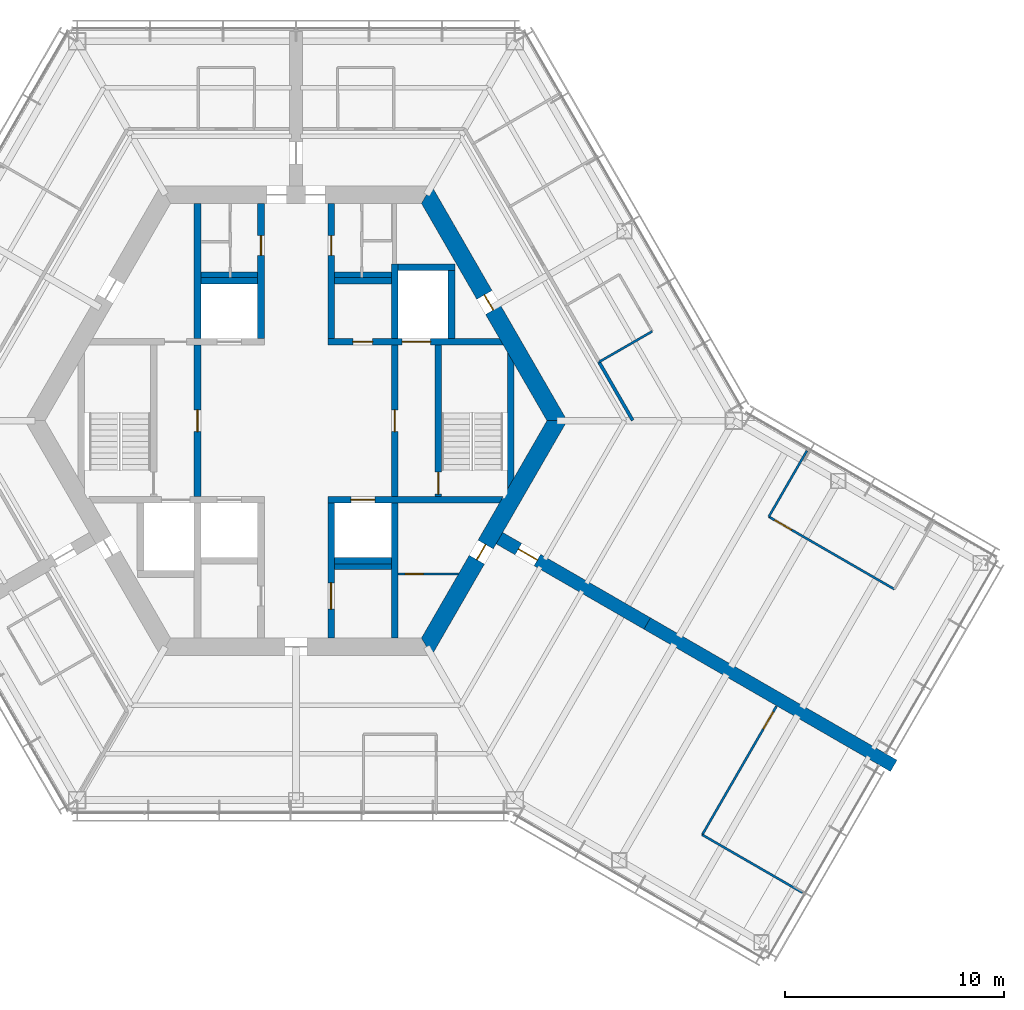
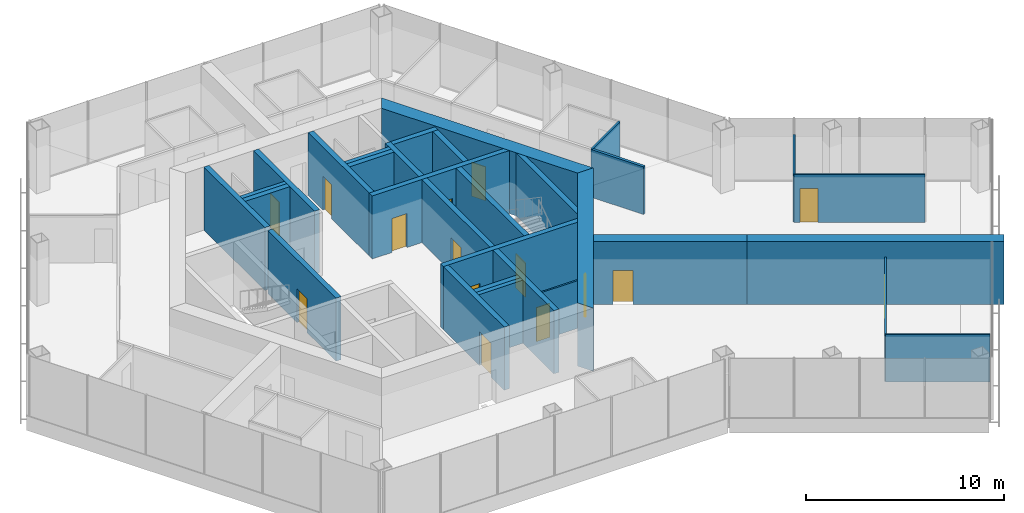
# One storey, part 11 of 15: 31 walls, 15 doors, 15 openings.
"""IFC4 building model written with IfcOpenShell, lengths in metres."""

import ifcopenshell
import ifcopenshell.guid

model = None  # the IFC model being written
_history = None  # IfcOwnerHistory: only IFC2X3 demands one
_inside = {}  # id of a spatial element -> (the spatial element, [elements in it])
_under = {}  # id of a project, library or spatial element -> (it, [spatial elements below it])
_declared = {}  # id of a project -> (the project, [libraries it declares])
_typed = {}  # id of a type object -> (the type object, [elements of that type])
_made_of = {}  # id of a material, layer set ... -> (it, [elements and type objects made of it])


def new_model(schema):
    """Start an empty IFC model of exactly this schema.

    Asked for "IFC4X3", IfcOpenShell would pick the latest addendum, in which some entities
    have other attributes; the version numbers below select the first issue.
    IFC2X3 requires an IfcOwnerHistory on every rooted entity: one is made here for all.
    """
    global model, _history
    if schema == "IFC4X3":
        model = ifcopenshell.file(schema_version=(4, 3, 0, 0))
    else:
        model = ifcopenshell.file(schema=schema)
    _inside.clear()
    _under.clear()
    _declared.clear()
    _typed.clear()
    _made_of.clear()
    _history = None
    if model.schema == "IFC2X3":
        org = make("IfcOrganization", Name="unknown")
        user = make(
            "IfcPersonAndOrganization",
            ThePerson=make("IfcPerson", FamilyName="unknown"),
            TheOrganization=org,
        )
        app = make(
            "IfcApplication",
            ApplicationDeveloper=org,
            Version="unknown",
            ApplicationFullName="unknown",
            ApplicationIdentifier="unknown",
        )
        _history = make(
            "IfcOwnerHistory",
            OwningUser=user,
            OwningApplication=app,
            ChangeAction="ADDED",
            CreationDate=0,
        )
    return model


def make(cls, **values):
    """One entity of the class cls with the attributes given. An attribute that is None is left unset."""
    return model.create_entity(
        cls, **{name: value for name, value in values.items() if value is not None}
    )


def rooted(cls, **values):
    """An entity with a GlobalId (a new one), such as an element, a storey or a relation."""
    return make(cls, GlobalId=ifcopenshell.guid.new(), OwnerHistory=_history, **values)


def si_unit(unit_type, name, prefix=None):
    """IfcSIUnit, for example si_unit("LENGTHUNIT", "METRE", prefix="MILLI")."""
    return make("IfcSIUnit", UnitType=unit_type, Prefix=prefix, Name=name)


def assignment(units):
    """IfcUnitAssignment: the units of a project."""
    return None if units is None else make("IfcUnitAssignment", Units=units)


def point(xyz):
    """IfcCartesianPoint."""
    return None if xyz is None else make("IfcCartesianPoint", Coordinates=xyz)


def direction(xyz):
    """IfcDirection."""
    return None if xyz is None else make("IfcDirection", DirectionRatios=xyz)


def frame(location, z_axis=None, x_axis=None):
    """IfcAxis2Placement3D, a coordinate frame: its origin and axes. An axis left out is left unset."""
    return make(
        "IfcAxis2Placement3D",
        Location=point(location),
        Axis=direction(z_axis),
        RefDirection=direction(x_axis),
    )


def frame_2d(location, x_axis=None):
    """IfcAxis2Placement2D, a coordinate frame in the plane: its origin and x axis."""
    return make(
        "IfcAxis2Placement2D", Location=point(location), RefDirection=direction(x_axis)
    )


def origin():
    """The frame at (0, 0, 0) with its axes left unset."""
    return frame((0.0, 0.0, 0.0))


def place(relative_to, where):
    """IfcLocalPlacement: puts the frame where relative to a parent placement (None: the world)."""
    return make(
        "IfcLocalPlacement", PlacementRelTo=relative_to, RelativePlacement=where
    )


def context(
    kind, dimensions, precision=None, world=None, true_north=None, identifier=None
):
    """IfcGeometricRepresentationContext, for example the 3D "Model" context."""
    return make(
        "IfcGeometricRepresentationContext",
        ContextIdentifier=identifier,
        ContextType=kind,
        CoordinateSpaceDimension=dimensions,
        Precision=precision,
        WorldCoordinateSystem=world,
        TrueNorth=true_north,
    )


def subcontext(parent, identifier, kind, view, scale=None):
    """IfcGeometricRepresentationSubContext, for example "Body" below "Model"."""
    return make(
        "IfcGeometricRepresentationSubContext",
        ContextIdentifier=identifier,
        ContextType=kind,
        ParentContext=parent,
        TargetScale=scale,
        TargetView=view,
    )


def project(units=None, contexts=None):
    """IfcProject with its units and contexts."""
    return rooted(
        "IfcProject",
        Name="project",
        RepresentationContexts=contexts,
        UnitsInContext=assignment(units),
    )


def spatial(cls, under=None, at=None, **own):
    """A site, building, storey or space (cls), placed at a placement, below another one or the project."""
    s = rooted(cls, ObjectPlacement=at, **own)
    if under is not None:
        _under.setdefault(under.id(), (under, []))[1].append(s)
    return s


def polyline(points):
    """IfcPolyline through the points."""
    return make("IfcPolyline", Points=[point(p) for p in points])


def profile(cls, at=None, kind="AREA", **sizes):
    """A parametric profile (cls). Its sizes go by their IFC names, for example OverallWidth=200.0."""
    return make(cls, ProfileType=kind, Position=at, **sizes)


def rectangle(**sizes):
    """IfcRectangleProfileDef."""
    return profile("IfcRectangleProfileDef", **sizes)


def outline(outer, holes=None, kind="AREA"):
    """IfcArbitraryClosedProfileDef: a profile drawn as a closed curve; with holes, ...WithVoids."""
    if holes is None:
        return make("IfcArbitraryClosedProfileDef", ProfileType=kind, OuterCurve=outer)
    return make(
        "IfcArbitraryProfileDefWithVoids",
        ProfileType=kind,
        OuterCurve=outer,
        InnerCurves=holes,
    )


def extrude(swept, where, along, depth):
    """IfcExtrudedAreaSolid: the profile swept, set in the frame where, extruded along a direction by depth."""
    return make(
        "IfcExtrudedAreaSolid",
        SweptArea=swept,
        Position=where,
        ExtrudedDirection=direction(along),
        Depth=depth,
    )


def shape(context_of_items, identifier, shape_type, items):
    """IfcShapeRepresentation: the items that make up one representation, for example the "Body"."""
    return make(
        "IfcShapeRepresentation",
        ContextOfItems=context_of_items,
        RepresentationIdentifier=identifier,
        RepresentationType=shape_type,
        Items=items,
    )


def material(Name=None, Category=None):
    """IfcMaterial."""
    return make("IfcMaterial", Name=Name, Category=Category)


def layer(
    of_material, thickness, ventilated=None, Name=None, Category=None, Priority=None
):
    """IfcMaterialLayer: one layer of a wall or slab, of a material (None: an air gap)."""
    return make(
        "IfcMaterialLayer",
        Material=of_material,
        LayerThickness=thickness,
        IsVentilated=ventilated,
        Name=Name,
        Category=Category,
        Priority=Priority,
    )


def layer_set(layers, Name=None):
    """IfcMaterialLayerSet."""
    return make("IfcMaterialLayerSet", MaterialLayers=layers, LayerSetName=Name)


def made_of(thing, what):
    """Note that an element or type object is made of a material, layer set ...; save() writes the relation."""
    if what is not None:
        _made_of.setdefault(what.id(), (what, []))[1].append(thing)
    return thing


def type_object(cls, material=None, **own):
    """A type object (cls), such as IfcWallType, which elements share."""
    return made_of(rooted(cls, **own), material)


def element(
    cls,
    number,
    at=None,
    inside=None,
    cuts=None,
    type_object=None,
    material=None,
    context=None,
    identifier="Body",
    shape_type=None,
    held_by="IfcProductDefinitionShape",
    body=None,
    shapes=None,
    **own,
):
    """One element of the class cls, such as IfcWall. Its Tag is "e" and its number.

    at: its placement. inside: the storey or other place that contains it. cuts: it is an
    opening in that element (IfcRelVoidsElement). A single representation is given by context,
    identifier, shape_type and body (its items); several are given by shapes. held_by: the class
    of the entity that holds the representations. save() writes the other relations.
    """
    e = rooted(cls, Tag="e%d" % number, ObjectPlacement=at, **own)
    if body is not None:
        shapes = [shape(context, identifier, shape_type, body)]
    if shapes is not None:
        e.Representation = make(held_by, Representations=shapes)
    if inside is not None:
        _inside.setdefault(inside.id(), (inside, []))[1].append(e)
    if cuts is not None:
        rooted(
            "IfcRelVoidsElement", RelatingBuildingElement=cuts, RelatedOpeningElement=e
        )
    if type_object is not None:
        _typed.setdefault(type_object.id(), (type_object, []))[1].append(e)
    return made_of(e, material)


def fill(opening, filler):
    """IfcRelFillsElement: the door or window that sits in an opening."""
    return rooted(
        "IfcRelFillsElement",
        RelatingOpeningElement=opening,
        RelatedBuildingElement=filler,
    )


def aggregate(whole, parts):
    """IfcRelAggregates: a whole, such as a stair, and the parts it consists of."""
    return rooted("IfcRelAggregates", RelatingObject=whole, RelatedObjects=parts)


def save(model, path):
    """Write the relations noted so far, then the file.

    IfcRelAggregates (storeys below a building ...), IfcRelContainedInSpatialStructure (elements
    in a storey), IfcRelDefinesByType, IfcRelAssociatesMaterial and IfcRelDeclares: one each for
    every whole, place, type object, material and project.
    """
    for whole, parts in _under.values():
        aggregate(whole, parts)
    for where, things in _inside.values():
        rooted(
            "IfcRelContainedInSpatialStructure",
            RelatedElements=things,
            RelatingStructure=where,
        )
    for kind, things in _typed.values():
        rooted("IfcRelDefinesByType", RelatedObjects=things, RelatingType=kind)
    for what, things in _made_of.values():
        rooted("IfcRelAssociatesMaterial", RelatedObjects=things, RelatingMaterial=what)
    for by, libraries in _declared.values():
        rooted("IfcRelDeclares", RelatingContext=by, RelatedDefinitions=libraries)
    model.write(path)


model = new_model("IFC4")

# Units and contexts
model_context = context("Model", 3, precision=1e-05, world=origin(), true_north=direction((0.0, 1.0)))
body_context = subcontext(model_context, "Body", "Model", "MODEL_VIEW")
ifc_project = project(units=[si_unit("LENGTHUNIT", "METRE"), si_unit("AREAUNIT", "SQUARE_METRE"), si_unit("VOLUMEUNIT", "CUBIC_METRE"), si_unit("PLANEANGLEUNIT", "RADIAN"), si_unit("MASSUNIT", "GRAM", prefix="KILO")], contexts=[model_context])

# Site, building, storey
site_placement = place(None, origin())
site = spatial("IfcSite", under=ifc_project, at=site_placement, CompositionType="ELEMENT")
building_placement = place(site_placement, origin())
building = spatial("IfcBuilding", under=site, at=building_placement, Name="Kasaneha Research Tower", CompositionType="ELEMENT")
storey_placement = place(building_placement, frame((0.0, 0.0, 244.0)))
storey = spatial("IfcBuildingStorey", under=building, at=storey_placement, Name="L61", CompositionType="ELEMENT", Elevation=244.0)

# Wall, openings, doors
ifc_material_1 = material(Name="Concrete Fc60", Category="concrete")
ifc_layer_1 = layer(ifc_material_1, 0.300048828125)
ifc_layer_set_1 = layer_set([ifc_layer_1], Name="Core internal wall 300 Fc60")
wall_type_1 = type_object("IfcWallType", Name="Core internal wall 300 Fc60", PredefinedType="SHEAR", material=ifc_layer_set_1)
wall_1_placement = place(storey_placement, frame((1.449951171875, 3.60009765625, 0.0), z_axis=(0.0, 0.0, 1.0), x_axis=(1.0, 0.0, 0.0)))
wall_1 = element("IfcWall", 1, at=wall_1_placement, inside=storey, type_object=wall_type_1, Name="Core wall W1E L61", PredefinedType="SHEAR", context=body_context, shape_type="SweptSolid", body=[
    extrude(outline(polyline([(0.0, -0.14990234375), (1.14990234375, -0.14990234375), (2.0498046875, -0.14990234375), (3.39990234375, -0.14990234375), (4.699951171875, -0.14990234375), (8.0185546875, -0.14990234375), (7.84521484375, 0.14990234375), (4.699951171875, 0.14990234375), (3.39990234375, 0.14990234375), (2.0498046875, 0.14990234375), (1.14990234375, 0.14990234375), (0.0, 0.14990234375), (0.0, -0.14990234375)])), origin(), (0.0, 0.0, 1.0), 3.89990234375),
])
opening_1_placement = place(wall_1_placement, frame((1.14990234375, 0.0, 0.0)))
opening_1 = element("IfcOpeningElement", 2, at=opening_1_placement, cuts=wall_1, Name="Opening L61-D17", PredefinedType="OPENING", context=body_context, shape_type="SweptSolid", body=[
    extrude(rectangle(XDim=0.89990234375, YDim=2.10009765625, at=frame_2d((0.449951171875, 1.050048828125))), frame((0.0, 0.16015625, 0.0), z_axis=(0.0, -1.0, 0.0), x_axis=(1.0, 0.0, 0.0)), (0.0, 0.0, 1.0), 0.320068359375),
])
opening_2_placement = place(wall_1_placement, frame((3.39990234375, 0.0, 0.0)))
opening_2 = element("IfcOpeningElement", 3, at=opening_2_placement, cuts=wall_1, Name="Opening LD-FL1-L61", PredefinedType="OPENING", context=body_context, shape_type="SweptSolid", body=[
    extrude(rectangle(XDim=1.300048828125, YDim=2.10009765625, at=frame_2d((0.64990234375, 1.050048828125))), frame((0.0, 0.16015625, 0.0), z_axis=(0.0, -1.0, 0.0), x_axis=(1.0, 0.0, 0.0)), (0.0, 0.0, 1.0), 0.320068359375),
])
ifc_material_2 = material(Name="Steel", Category="steel")
door_type_1 = type_object("IfcDoorType", Name="Lift landing door 1300x2100", OperationType="DOUBLE_DOOR_SLIDING", PredefinedType="DOOR", material=ifc_material_2)
door_1_placement = place(opening_2_placement, origin())
door_1 = element("IfcDoor", 4, at=door_1_placement, inside=storey, type_object=door_type_1, Name="Landing door FL1 LD-FL1-L61", OperationType="DOUBLE_DOOR_SLIDING", OverallHeight=2.10009765625, OverallWidth=1.300048828125, PredefinedType="DOOR", context=body_context, shape_type="SweptSolid", body=[
    extrude(rectangle(XDim=1.300048828125, YDim=2.10009765625, at=frame_2d((0.64990234375, 1.050048828125))), frame((0.0, 0.02490234375, 0.0), z_axis=(0.0, -1.0, 0.0), x_axis=(1.0, 0.0, 0.0)), (0.0, 0.0, 1.0), 0.050048828125),
])
fill(opening_2, door_1)
ifc_material_3 = material(Name="Steel", Category="steel")
door_type_2 = type_object("IfcDoorType", Name="Shaft room door FD60 900x2100", OperationType="NOTDEFINED", PredefinedType="DOOR", material=ifc_material_3)
door_2_placement = place(opening_1_placement, origin())
door_2 = element("IfcDoor", 5, at=door_2_placement, inside=storey, type_object=door_type_2, Name="Archive store door L61-D17", OperationType="SINGLE_SWING_LEFT", OverallHeight=2.10009765625, OverallWidth=0.89990234375, PredefinedType="DOOR", context=body_context, shape_type="SweptSolid", body=[
    extrude(rectangle(XDim=0.89990234375, YDim=2.10009765625, at=frame_2d((0.449951171875, 1.050048828125))), frame((0.0, 0.02490234375, 0.0), z_axis=(0.0, -1.0, 0.0), x_axis=(1.0, 0.0, 0.0)), (0.0, 0.0, 1.0), 0.050048828125),
])
fill(opening_1, door_2)

# Wall, opening, door
wall_2_placement = place(storey_placement, frame((1.449951171875, -3.60009765625, 0.0), z_axis=(0.0, 0.0, 1.0), x_axis=(1.0, 0.0, 0.0)))
wall_2 = element("IfcWall", 6, at=wall_2_placement, inside=storey, type_object=wall_type_1, Name="Core wall W2E L61", PredefinedType="SHEAR", context=body_context, shape_type="SweptSolid", body=[
    extrude(outline(polyline([(0.0, -0.14990234375), (1.050048828125, -0.14990234375), (2.150146484375, -0.14990234375), (7.84521484375, -0.14990234375), (8.0185546875, 0.14990234375), (2.150146484375, 0.14990234375), (1.050048828125, 0.14990234375), (0.0, 0.14990234375), (0.0, -0.14990234375)])), origin(), (0.0, 0.0, 1.0), 3.89990234375),
])
opening_3_placement = place(wall_2_placement, frame((1.050048828125, 0.0, 0.0)))
opening_3 = element("IfcOpeningElement", 7, at=opening_3_placement, cuts=wall_2, Name="Opening LD-LH3-L61", PredefinedType="OPENING", context=body_context, shape_type="SweptSolid", body=[
    extrude(rectangle(XDim=1.10009765625, YDim=2.10009765625, at=frame_2d((0.550048828125, 1.050048828125))), frame((0.0, 0.16015625, 0.0), z_axis=(0.0, -1.0, 0.0), x_axis=(1.0, 0.0, 0.0)), (0.0, 0.0, 1.0), 0.320068359375),
])
ifc_material_4 = material(Name="Steel", Category="steel")
door_type_3 = type_object("IfcDoorType", Name="Lift landing door 1100x2100", OperationType="DOUBLE_DOOR_SLIDING", PredefinedType="DOOR", material=ifc_material_4)
door_3_placement = place(opening_3_placement, origin())
door_3 = element("IfcDoor", 8, at=door_3_placement, inside=storey, type_object=door_type_3, Name="Landing door LH3 LD-LH3-L61", OperationType="DOUBLE_DOOR_SLIDING", OverallHeight=2.10009765625, OverallWidth=1.10009765625, PredefinedType="DOOR", context=body_context, shape_type="SweptSolid", body=[
    extrude(rectangle(XDim=1.10009765625, YDim=2.10009765625, at=frame_2d((0.550048828125, 1.050048828125))), frame((0.0, 0.02490234375, 0.0), z_axis=(0.0, -1.0, 0.0), x_axis=(1.0, 0.0, 0.0)), (0.0, 0.0, 1.0), 0.050048828125),
])
fill(opening_3, door_3)

wall_3_placement = place(storey_placement, frame((-1.60009765625, 3.75, 0.0), z_axis=(0.0, 0.0, 1.0), x_axis=(0.0, 1.0, 0.0)))
wall_3 = element("IfcWall", 9, at=wall_3_placement, inside=storey, type_object=wall_type_1, Name="Core wall CNW L61", PredefinedType="SHEAR", context=body_context, shape_type="SweptSolid", body=[
    extrude(rectangle(XDim=6.175048828125, YDim=0.300048828125, at=frame_2d((3.08740234375, 0.0))), origin(), (0.0, 0.0, 1.0), 3.89990234375),
])
opening_4_placement = place(wall_3_placement, frame((3.800048828125, 0.0, 0.0)))
opening_4 = element("IfcOpeningElement", 10, at=opening_4_placement, cuts=wall_3, Name="Opening L61-D13", PredefinedType="OPENING", context=body_context, shape_type="SweptSolid", body=[
    extrude(rectangle(XDim=0.89990234375, YDim=2.10009765625, at=frame_2d((0.449951171875, 1.050048828125))), frame((0.0, 0.16015625, 0.0), z_axis=(0.0, -1.0, 0.0), x_axis=(1.0, 0.0, 0.0)), (0.0, 0.0, 1.0), 0.320068359375),
])
ifc_material_5 = material(Name="Steel", Category="steel")
door_type_4 = type_object("IfcDoorType", Name="Toilet door FD20 900x2100", OperationType="NOTDEFINED", PredefinedType="DOOR", material=ifc_material_5)
door_4_placement = place(opening_4_placement, origin())
door_4 = element("IfcDoor", 11, at=door_4_placement, inside=storey, type_object=door_type_4, Name="Men's WC door L61-D13", OperationType="SINGLE_SWING_LEFT", OverallHeight=2.10009765625, OverallWidth=0.89990234375, PredefinedType="DOOR", context=body_context, shape_type="SweptSolid", body=[
    extrude(rectangle(XDim=0.89990234375, YDim=2.10009765625, at=frame_2d((0.449951171875, 1.050048828125))), frame((0.0, 0.02490234375, 0.0), z_axis=(0.0, -1.0, 0.0), x_axis=(1.0, 0.0, 0.0)), (0.0, 0.0, 1.0), 0.050048828125),
])
fill(opening_4, door_4)

wall_4_placement = place(storey_placement, frame((1.60009765625, 3.75, 0.0), z_axis=(0.0, 0.0, 1.0), x_axis=(0.0, 1.0, 0.0)))
wall_4 = element("IfcWall", 12, at=wall_4_placement, inside=storey, type_object=wall_type_1, Name="Core wall CNE L61", PredefinedType="SHEAR", context=body_context, shape_type="SweptSolid", body=[
    extrude(rectangle(XDim=6.175048828125, YDim=0.300048828125, at=frame_2d((3.08740234375, 0.0))), origin(), (0.0, 0.0, 1.0), 3.89990234375),
])
opening_5_placement = place(wall_4_placement, frame((3.800048828125, 0.0, 0.0)))
opening_5 = element("IfcOpeningElement", 13, at=opening_5_placement, cuts=wall_4, Name="Opening L61-D14", PredefinedType="OPENING", context=body_context, shape_type="SweptSolid", body=[
    extrude(rectangle(XDim=0.89990234375, YDim=2.10009765625, at=frame_2d((0.449951171875, 1.050048828125))), frame((0.0, 0.16015625, 0.0), z_axis=(0.0, -1.0, 0.0), x_axis=(1.0, 0.0, 0.0)), (0.0, 0.0, 1.0), 0.320068359375),
])
door_5_placement = place(opening_5_placement, origin())
door_5 = element("IfcDoor", 14, at=door_5_placement, inside=storey, type_object=door_type_4, Name="Women's WC door L61-D14", OperationType="SINGLE_SWING_LEFT", OverallHeight=2.10009765625, OverallWidth=0.89990234375, PredefinedType="DOOR", context=body_context, shape_type="SweptSolid", body=[
    extrude(rectangle(XDim=0.89990234375, YDim=2.10009765625, at=frame_2d((0.449951171875, 1.050048828125))), frame((0.0, 0.02490234375, 0.0), z_axis=(0.0, -1.0, 0.0), x_axis=(1.0, 0.0, 0.0)), (0.0, 0.0, 1.0), 0.050048828125),
])
fill(opening_5, door_5)

wall_5_placement = place(storey_placement, frame((1.60009765625, -3.75, 0.0), z_axis=(0.0, 0.0, 1.0), x_axis=(0.0, -1.0, 0.0)))
wall_5 = element("IfcWall", 15, at=wall_5_placement, inside=storey, type_object=wall_type_1, Name="Core wall CSE L61", PredefinedType="SHEAR", context=body_context, shape_type="SweptSolid", body=[
    extrude(rectangle(XDim=6.175048828125, YDim=0.300048828125, at=frame_2d((3.08740234375, 0.0))), origin(), (0.0, 0.0, 1.0), 3.89990234375),
])
opening_6_placement = place(wall_5_placement, frame((3.64990234375, 0.0, 0.0)))
opening_6 = element("IfcOpeningElement", 16, at=opening_6_placement, cuts=wall_5, Name="Opening L61-D15", PredefinedType="OPENING", context=body_context, shape_type="SweptSolid", body=[
    extrude(rectangle(XDim=1.199951171875, YDim=2.10009765625, at=frame_2d((0.60009765625, 1.050048828125))), frame((0.0, 0.16015625, 0.0), z_axis=(0.0, -1.0, 0.0), x_axis=(1.0, 0.0, 0.0)), (0.0, 0.0, 1.0), 0.320068359375),
])
ifc_material_6 = material(Name="Steel", Category="steel")
door_type_5 = type_object("IfcDoorType", Name="Accessible toilet sliding door FD20 1200x2100", OperationType="SLIDING_TO_LEFT", PredefinedType="DOOR", material=ifc_material_6)
door_6_placement = place(opening_6_placement, origin())
door_6 = element("IfcDoor", 17, at=door_6_placement, inside=storey, type_object=door_type_5, Name="Accessible WC door L61-D15", OperationType="SLIDING_TO_LEFT", OverallHeight=2.10009765625, OverallWidth=1.199951171875, PredefinedType="DOOR", context=body_context, shape_type="SweptSolid", body=[
    extrude(rectangle(XDim=1.199951171875, YDim=2.10009765625, at=frame_2d((0.60009765625, 1.050048828125))), frame((0.0, 0.02490234375, 0.0), z_axis=(0.0, -1.0, 0.0), x_axis=(1.0, 0.0, 0.0)), (0.0, 0.0, 1.0), 0.050048828125),
])
fill(opening_6, door_6)

wall_6_placement = place(storey_placement, frame((-4.5, -3.449951171875, 0.0), z_axis=(0.0, 0.0, 1.0), x_axis=(0.0, 1.0, 0.0)))
wall_6 = element("IfcWall", 18, at=wall_6_placement, inside=storey, type_object=wall_type_1, Name="Core wall LBW L61", PredefinedType="SHEAR", context=body_context, shape_type="SweptSolid", body=[
    extrude(rectangle(XDim=6.89990234375, YDim=0.300048828125, at=frame_2d((3.449951171875, 0.0))), origin(), (0.0, 0.0, 1.0), 3.89990234375),
])
opening_7_placement = place(wall_6_placement, frame((2.949951171875, 0.0, 0.0)))
opening_7 = element("IfcOpeningElement", 19, at=opening_7_placement, cuts=wall_6, Name="Opening L61-D09", PredefinedType="OPENING", context=body_context, shape_type="SweptSolid", body=[
    extrude(rectangle(XDim=1.0, YDim=2.10009765625, at=frame_2d((0.5, 1.050048828125))), frame((0.0, 0.16015625, 0.0), z_axis=(0.0, -1.0, 0.0), x_axis=(1.0, 0.0, 0.0)), (0.0, 0.0, 1.0), 0.320068359375),
])
ifc_material_7 = material(Name="Steel", Category="steel")
door_type_6 = type_object("IfcDoorType", Name="Specified fire door FD60 1000x2100", OperationType="NOTDEFINED", PredefinedType="DOOR", material=ifc_material_7)
door_7_placement = place(opening_7_placement, origin())
door_7 = element("IfcDoor", 20, at=door_7_placement, inside=storey, type_object=door_type_6, Name="Lift lobby door west L61-D09", OperationType="SINGLE_SWING_LEFT", OverallHeight=2.10009765625, OverallWidth=1.0, PredefinedType="DOOR", context=body_context, shape_type="SweptSolid", body=[
    extrude(rectangle(XDim=1.0, YDim=2.10009765625, at=frame_2d((0.5, 1.050048828125))), frame((0.0, 0.02490234375, 0.0), z_axis=(0.0, -1.0, 0.0), x_axis=(1.0, 0.0, 0.0)), (0.0, 0.0, 1.0), 0.050048828125),
])
fill(opening_7, door_7)

wall_7_placement = place(storey_placement, frame((4.5, -3.449951171875, 0.0), z_axis=(0.0, 0.0, 1.0), x_axis=(0.0, 1.0, 0.0)))
wall_7 = element("IfcWall", 21, at=wall_7_placement, inside=storey, type_object=wall_type_1, Name="Core wall LBE L61", PredefinedType="SHEAR", context=body_context, shape_type="SweptSolid", body=[
    extrude(rectangle(XDim=6.89990234375, YDim=0.300048828125, at=frame_2d((3.449951171875, 0.0))), origin(), (0.0, 0.0, 1.0), 3.89990234375),
])
opening_8_placement = place(wall_7_placement, frame((2.949951171875, 0.0, 0.0)))
opening_8 = element("IfcOpeningElement", 22, at=opening_8_placement, cuts=wall_7, Name="Opening L61-D08", PredefinedType="OPENING", context=body_context, shape_type="SweptSolid", body=[
    extrude(rectangle(XDim=1.0, YDim=2.10009765625, at=frame_2d((0.5, 1.050048828125))), frame((0.0, 0.16015625, 0.0), z_axis=(0.0, -1.0, 0.0), x_axis=(1.0, 0.0, 0.0)), (0.0, 0.0, 1.0), 0.320068359375),
])
door_8_placement = place(opening_8_placement, origin())
door_8 = element("IfcDoor", 23, at=door_8_placement, inside=storey, type_object=door_type_6, Name="Lift lobby door east L61-D08", OperationType="SINGLE_SWING_LEFT", OverallHeight=2.10009765625, OverallWidth=1.0, PredefinedType="DOOR", context=body_context, shape_type="SweptSolid", body=[
    extrude(rectangle(XDim=1.0, YDim=2.10009765625, at=frame_2d((0.5, 1.050048828125))), frame((0.0, 0.02490234375, 0.0), z_axis=(0.0, -1.0, 0.0), x_axis=(1.0, 0.0, 0.0)), (0.0, 0.0, 1.0), 0.050048828125),
])
fill(opening_8, door_8)

wall_8_placement = place(storey_placement, frame((6.5, -3.449951171875, 0.0), z_axis=(0.0, 0.0, 1.0), x_axis=(0.0, 1.0, 0.0)))
wall_8 = element("IfcWall", 24, at=wall_8_placement, inside=storey, type_object=wall_type_1, Name="Core wall ANE L61", PredefinedType="SHEAR", context=body_context, shape_type="SweptSolid", body=[
    extrude(rectangle(XDim=6.89990234375, YDim=0.300048828125, at=frame_2d((3.449951171875, 0.0))), origin(), (0.0, 0.0, 1.0), 3.89990234375),
])
opening_9_placement = place(wall_8_placement, frame((0.10009765625, 0.0, 0.0)))
opening_9 = element("IfcOpeningElement", 25, at=opening_9_placement, cuts=wall_8, Name="Opening L61-D10", PredefinedType="OPENING", context=body_context, shape_type="SweptSolid", body=[
    extrude(rectangle(XDim=1.0, YDim=2.10009765625, at=frame_2d((0.5, 1.050048828125))), frame((0.0, 0.16015625, 0.0), z_axis=(0.0, -1.0, 0.0), x_axis=(1.0, 0.0, 0.0)), (0.0, 0.0, 1.0), 0.320068359375),
])
door_9_placement = place(opening_9_placement, origin())
door_9 = element("IfcDoor", 26, at=door_9_placement, inside=storey, type_object=door_type_6, Name="Stair 1 door L61-D10", OperationType="SINGLE_SWING_LEFT", OverallHeight=2.10009765625, OverallWidth=1.0, PredefinedType="DOOR", context=body_context, shape_type="SweptSolid", body=[
    extrude(rectangle(XDim=1.0, YDim=2.10009765625, at=frame_2d((0.5, 1.050048828125))), frame((0.0, 0.02490234375, 0.0), z_axis=(0.0, -1.0, 0.0), x_axis=(1.0, 0.0, 0.0)), (0.0, 0.0, 1.0), 0.050048828125),
])
fill(opening_9, door_9)

# Walls
wall_9_placement = place(storey_placement, frame((-4.5, 3.75, 0.0), z_axis=(0.0, 0.0, 1.0), x_axis=(0.0, 1.0, 0.0)))
element("IfcWall", 27, at=wall_9_placement, inside=storey, type_object=wall_type_1, Name="Core wall VNW L61", PredefinedType="SHEAR", context=body_context, shape_type="SweptSolid", body=[
    extrude(rectangle(XDim=6.175048828125, YDim=0.300048828125, at=frame_2d((3.08740234375, 0.0))), origin(), (0.0, 0.0, 1.0), 3.89990234375),
])
wall_10_placement = place(storey_placement, frame((4.5, 3.75, 0.0), z_axis=(0.0, 0.0, 1.0), x_axis=(0.0, 1.0, 0.0)))
element("IfcWall", 28, at=wall_10_placement, inside=storey, type_object=wall_type_1, Name="Core wall FNE L61", PredefinedType="SHEAR", context=body_context, shape_type="SweptSolid", body=[
    extrude(rectangle(XDim=3.39990234375, YDim=0.300048828125, at=frame_2d((1.699951171875, 0.0))), origin(), (0.0, 0.0, 1.0), 3.89990234375),
])
wall_11_placement = place(storey_placement, frame((4.5, -3.75, 0.0), z_axis=(0.0, 0.0, 1.0), x_axis=(0.0, -1.0, 0.0)))
element("IfcWall", 29, at=wall_11_placement, inside=storey, type_object=wall_type_1, Name="Core wall SSE L61", PredefinedType="SHEAR", context=body_context, shape_type="SweptSolid", body=[
    extrude(rectangle(XDim=6.175048828125, YDim=0.300048828125, at=frame_2d((3.08740234375, 0.0))), origin(), (0.0, 0.0, 1.0), 3.89990234375),
])
for number, where, z_axis, x_axis, name in (
    (30, (-4.35009765625, 6.39990234375, 0.0), (0.0, 0.0, 1.0), (1.0, 0.0, 0.0), "Core wall N1N L61"),
    (31, (1.75, 6.39990234375, 0.0), (0.0, 0.0, 1.0), (1.0, 0.0, 0.0), "Core wall N3N L61"),
    (32, (1.75, -6.39990234375, 0.0), (0.0, 0.0, 1.0), (1.0, 0.0, 0.0), "Core wall S3S L61"),
    (33, (4.64990234375, 7.0, 0.0), (0.0, 0.0, 1.0), (1.0, 0.0, 0.0), "Core wall F1N L61"),
):
    element("IfcWall", number, at=place(storey_placement, frame(where, z_axis=z_axis, x_axis=x_axis)), inside=storey, type_object=wall_type_1, Name=name, PredefinedType="SHEAR", context=body_context, shape_type="SweptSolid", body=[
        extrude(rectangle(XDim=2.60009765625, YDim=0.300048828125, at=frame_2d((1.300048828125, 0.0))), origin(), (0.0, 0.0, 1.0), 3.89990234375),
    ])
wall_12_placement = place(storey_placement, frame((7.10009765625, 3.75, 0.0), z_axis=(0.0, 0.0, 1.0), x_axis=(0.0, 1.0, 0.0)))
element("IfcWall", 34, at=wall_12_placement, inside=storey, type_object=wall_type_1, Name="Core wall F1E L61", PredefinedType="SHEAR", context=body_context, shape_type="SweptSolid", body=[
    extrude(rectangle(XDim=3.10009765625, YDim=0.300048828125, at=frame_2d((1.550048828125, 0.0))), origin(), (0.0, 0.0, 1.0), 3.89990234375),
])
wall_13_placement = place(storey_placement, frame((9.807861328125, -2.8623046875, 0.0), z_axis=(0.0, 0.0, 1.0), x_axis=(0.0, 1.0, 0.0)))
element("IfcWall", 35, at=wall_13_placement, inside=storey, type_object=wall_type_1, Name="Core wall STE L61", PredefinedType="SHEAR", context=body_context, shape_type="SweptSolid", body=[
    extrude(outline(polyline([(0.259765625, -0.14990234375), (5.46484375, -0.14990234375), (5.984375, 0.14990234375), (-0.259765625, 0.14990234375), (0.259765625, -0.14990234375)])), origin(), (0.0, 0.0, 1.0), 3.89990234375),
])

# Wall, opening, door
ifc_material_8 = material(Name="Concrete Fc60", Category="concrete")
ifc_layer_2 = layer(ifc_material_8, 0.800048828125)
ifc_layer_set_2 = layer_set([ifc_layer_2], Name="Core wall 800 Fc60")
wall_type_2 = type_object("IfcWallType", Name="Core wall 800 Fc60", PredefinedType="SHEAR", material=ifc_layer_set_2)
wall_14_placement = place(storey_placement, frame((11.92236328125, 0.0, 0.0), z_axis=(0.0, 0.0, 1.0), x_axis=(-0.500004296715, 0.866022923061, 0.0)))
wall_14 = element("IfcWall", 36, at=wall_14_placement, inside=storey, type_object=wall_type_2, Name="Core wall 030 L61", PredefinedType="SHEAR", context=body_context, shape_type="SweptSolid", body=[
    extrude(outline(polyline([(-0.23095703125, -0.39990234375), (5.83544921875, -0.39990234375), (6.635498046875, -0.39990234375), (12.1533203125, -0.39990234375), (11.69140625, 0.39990234375), (6.635498046875, 0.39990234375), (5.83544921875, 0.39990234375), (0.23095703125, 0.39990234375), (-0.23095703125, -0.39990234375)])), origin(), (0.0, 0.0, 1.0), 3.89990234375),
])
opening_10_placement = place(wall_14_placement, frame((5.83544921875, 0.0, 0.0)))
opening_10 = element("IfcOpeningElement", 37, at=opening_10_placement, cuts=wall_14, Name="Opening L61-D04", PredefinedType="OPENING", context=body_context, shape_type="SweptSolid", body=[
    extrude(rectangle(XDim=0.800048828125, YDim=2.10009765625, at=frame_2d((0.39990234375, 1.050048828125))), frame((0.0, 0.41015625, 0.0), z_axis=(0.0, -1.0, 0.0), x_axis=(1.0, 0.0, 0.0)), (0.0, 0.0, 1.0), 0.820068359375),
])
ifc_material_9 = material(Name="Steel", Category="steel")
door_type_7 = type_object("IfcDoorType", Name="Riser access door FD60 800x2100", OperationType="NOTDEFINED", PredefinedType="DOOR", material=ifc_material_9)
door_10_placement = place(opening_10_placement, origin())
door_10 = element("IfcDoor", 38, at=door_10_placement, inside=storey, type_object=door_type_7, Name="Pipe riser door L61-D04", OperationType="SINGLE_SWING_RIGHT", OverallHeight=2.10009765625, OverallWidth=0.800048828125, PredefinedType="DOOR", context=body_context, shape_type="SweptSolid", body=[
    extrude(rectangle(XDim=0.800048828125, YDim=2.10009765625, at=frame_2d((0.39990234375, 1.050048828125))), frame((0.0, 0.02490234375, 0.0), z_axis=(0.0, -1.0, 0.0), x_axis=(1.0, 0.0, 0.0)), (0.0, 0.0, 1.0), 0.050048828125),
])
fill(opening_10, door_10)

wall_15_placement = place(storey_placement, frame((5.961181640625, -10.324951171875, 0.0), z_axis=(0.0, 0.0, 1.0), x_axis=(0.500004296715, 0.866022923061, 0.0)))
wall_15 = element("IfcWall", 39, at=wall_15_placement, inside=storey, type_object=wall_type_2, Name="Core wall 330 L61", PredefinedType="SHEAR", context=body_context, shape_type="SweptSolid", body=[
    extrude(outline(polyline([(-0.23095703125, -0.39990234375), (4.593994140625, -0.39990234375), (5.39404296875, -0.39990234375), (12.1533203125, -0.39990234375), (11.69140625, 0.39990234375), (5.39404296875, 0.39990234375), (4.593994140625, 0.39990234375), (0.23095703125, 0.39990234375), (-0.23095703125, -0.39990234375)])), origin(), (0.0, 0.0, 1.0), 3.89990234375),
])
opening_11_placement = place(wall_15_placement, frame((4.593994140625, 0.0, 0.0)))
opening_11 = element("IfcOpeningElement", 40, at=opening_11_placement, cuts=wall_15, Name="Opening L61-D05", PredefinedType="OPENING", context=body_context, shape_type="SweptSolid", body=[
    extrude(rectangle(XDim=0.800048828125, YDim=2.10009765625, at=frame_2d((0.39990234375, 1.050048828125))), frame((0.0, 0.41015625, 0.0), z_axis=(0.0, -1.0, 0.0), x_axis=(1.0, 0.0, 0.0)), (0.0, 0.0, 1.0), 0.820068359375),
])
door_11_placement = place(opening_11_placement, origin())
door_11 = element("IfcDoor", 41, at=door_11_placement, inside=storey, type_object=door_type_7, Name="Pipe riser door L61-D05", OperationType="SINGLE_SWING_LEFT", OverallHeight=2.10009765625, OverallWidth=0.800048828125, PredefinedType="DOOR", context=body_context, shape_type="SweptSolid", body=[
    extrude(rectangle(XDim=0.800048828125, YDim=2.10009765625, at=frame_2d((0.39990234375, 1.050048828125))), frame((0.0, 0.02490234375, 0.0), z_axis=(0.0, -1.0, 0.0), x_axis=(1.0, 0.0, 0.0)), (0.0, 0.0, 1.0), 0.050048828125),
])
fill(opening_11, door_11)

ifc_material_10 = material(Name="Gypsum board on steel studs, one layer each side", Category="steel")
ifc_layer_3 = layer(ifc_material_10, 0.10009765625)
ifc_layer_set_3 = layer_set([ifc_layer_3], Name="Office partition 100")
wall_type_3 = type_object("IfcWallType", Name="Office partition 100", PredefinedType="PARTITIONING", material=ifc_layer_set_3)
wall_16_placement = place(storey_placement, frame((4.64990234375, -7.0, 0.0), z_axis=(0.0, 0.0, 1.0), x_axis=(1.0, 0.0, 0.0)))
wall_16 = element("IfcWall", 42, at=wall_16_placement, inside=storey, type_object=wall_type_3, Name="Office partition RS-SE L61", PredefinedType="PARTITIONING", context=body_context, shape_type="SweptSolid", body=[
    extrude(outline(polyline([(0.0, -0.050048828125), (0.35009765625, -0.050048828125), (1.150146484375, -0.050048828125), (2.740234375, -0.050048828125), (2.76904296875, 0.0), (2.77490234375, 0.050048828125), (1.150146484375, 0.050048828125), (0.35009765625, 0.050048828125), (0.0, 0.050048828125), (0.0, -0.050048828125)])), origin(), (0.0, 0.0, 1.0), 2.949951171875),
])
opening_12_placement = place(wall_16_placement, frame((0.35009765625, 0.0, 0.0)))
opening_12 = element("IfcOpeningElement", 43, at=opening_12_placement, cuts=wall_16, Name="Opening L61-D25", PredefinedType="OPENING", context=body_context, shape_type="SweptSolid", body=[
    extrude(rectangle(XDim=0.800048828125, YDim=2.10009765625, at=frame_2d((0.39990234375, 1.050048828125))), frame((0.0, 0.06005859375, 0.0), z_axis=(0.0, -1.0, 0.0), x_axis=(1.0, 0.0, 0.0)), (0.0, 0.0, 1.0), 0.1201171875),
])
door_12_placement = place(opening_12_placement, origin())
door_12 = element("IfcDoor", 44, at=door_12_placement, inside=storey, type_object=door_type_7, Name="Drainage riser door L61-D25", OperationType="SINGLE_SWING_LEFT", OverallHeight=2.10009765625, OverallWidth=0.800048828125, PredefinedType="DOOR", context=body_context, shape_type="SweptSolid", body=[
    extrude(rectangle(XDim=0.800048828125, YDim=2.10009765625, at=frame_2d((0.39990234375, 1.050048828125))), frame((0.0, 0.02490234375, 0.0), z_axis=(0.0, -1.0, 0.0), x_axis=(1.0, 0.0, 0.0)), (0.0, 0.0, 1.0), 0.050048828125),
])
fill(opening_12, door_12)

# Walls
wall_17_placement = place(storey_placement, frame((16.2646484375, 4.078857421875, 0.0), z_axis=(0.0, 0.0, 1.0), x_axis=(-0.86679607088, -0.498662783358, 0.0)))
element("IfcWall", 45, at=wall_17_placement, inside=storey, type_object=wall_type_3, Name="Office partition FAE14 L61", PredefinedType="PARTITIONING", context=body_context, shape_type="SweptSolid", body=[
    extrude(rectangle(XDim=2.800048828125, YDim=0.10009765625, at=frame_2d((1.39990234375, 0.0))), origin(), (0.0, 0.0, 1.0), 2.949951171875),
])
wall_18_placement = place(storey_placement, frame((21.59228515625, -4.38330078125, 0.0), z_axis=(0.0, 0.0, 1.0), x_axis=(0.500009906705, 0.86601968407, 0.0)))
element("IfcWall", 46, at=wall_18_placement, inside=storey, type_object=wall_type_3, Name="Office partition FCE01 L61", PredefinedType="PARTITIONING", context=body_context, shape_type="SweptSolid", body=[
    extrude(rectangle(XDim=3.47998046875, YDim=0.10009765625, at=frame_2d((1.739990234375, 0.0))), origin(), (0.0, 0.0, 1.0), 2.949951171875),
])

# Wall, opening, door
wall_19_placement = place(storey_placement, frame((27.324951171875, -7.693115234375, 0.0), z_axis=(0.0, 0.0, 1.0), x_axis=(-0.866021597574, 0.500006592492, 0.0)))
wall_19 = element("IfcWall", 47, at=wall_19_placement, inside=storey, type_object=wall_type_3, Name="Office partition FCE02 L61", PredefinedType="PARTITIONING", context=body_context, shape_type="SweptSolid", body=[
    extrude(rectangle(XDim=6.61962890625, YDim=0.10009765625, at=frame_2d((3.309814453125, 0.0))), origin(), (0.0, 0.0, 1.0), 2.949951171875),
])
opening_13_placement = place(wall_19_placement, frame((5.419677734375, 0.0, 0.0)))
opening_13 = element("IfcOpeningElement", 48, at=opening_13_placement, cuts=wall_19, Name="Opening L61-D38", PredefinedType="OPENING", context=body_context, shape_type="SweptSolid", body=[
    extrude(rectangle(XDim=0.89990234375, YDim=2.10009765625, at=frame_2d((0.449951171875, 1.050048828125))), frame((0.0, 0.06005859375, 0.0), z_axis=(0.0, -1.0, 0.0), x_axis=(1.0, 0.0, 0.0)), (0.0, 0.0, 1.0), 0.1201171875),
])
ifc_material_11 = material(Name="Timber veneer", Category="wood")
door_type_8 = type_object("IfcDoorType", Name="Office door 900x2100", OperationType="SINGLE_SWING_LEFT", PredefinedType="DOOR", material=ifc_material_11)
door_13_placement = place(opening_13_placement, origin())
door_13 = element("IfcDoor", 49, at=door_13_placement, inside=storey, type_object=door_type_8, Name="Meeting room door L61-D38", OperationType="SINGLE_SWING_RIGHT", OverallHeight=2.10009765625, OverallWidth=0.89990234375, PredefinedType="DOOR", context=body_context, shape_type="SweptSolid", body=[
    extrude(rectangle(XDim=0.89990234375, YDim=2.10009765625, at=frame_2d((0.449951171875, 1.050048828125))), frame((0.0, 0.02490234375, 0.0), z_axis=(0.0, -1.0, 0.0), x_axis=(1.0, 0.0, 0.0)), (0.0, 0.0, 1.0), 0.050048828125),
])
fill(opening_13, door_13)

wall_20_placement = place(storey_placement, frame((18.551513671875, -18.908935546875, 0.0), z_axis=(0.0, 0.0, 1.0), x_axis=(0.499992600721, 0.866029675718, 0.0)))
wall_20 = element("IfcWall", 50, at=wall_20_placement, inside=storey, type_object=wall_type_3, Name="Office partition FCS01 L61", PredefinedType="PARTITIONING", context=body_context, shape_type="SweptSolid", body=[
    extrude(rectangle(XDim=6.77978515625, YDim=0.10009765625, at=frame_2d((3.389892578125, 0.0))), origin(), (0.0, 0.0, 1.0), 2.949951171875),
])
opening_14_placement = place(wall_20_placement, frame((5.580078125, 0.0, 0.0)))
opening_14 = element("IfcOpeningElement", 51, at=opening_14_placement, cuts=wall_20, Name="Opening L61-D39", PredefinedType="OPENING", context=body_context, shape_type="SweptSolid", body=[
    extrude(rectangle(XDim=0.89990234375, YDim=2.10009765625, at=frame_2d((0.449951171875, 1.050048828125))), frame((0.0, 0.06005859375, 0.0), z_axis=(0.0, -1.0, 0.0), x_axis=(1.0, 0.0, 0.0)), (0.0, 0.0, 1.0), 0.1201171875),
])
door_14_placement = place(opening_14_placement, origin())
door_14 = element("IfcDoor", 52, at=door_14_placement, inside=storey, type_object=door_type_8, Name="Board meeting room door L61-D39", OperationType="SINGLE_SWING_RIGHT", OverallHeight=2.10009765625, OverallWidth=0.89990234375, PredefinedType="DOOR", context=body_context, shape_type="SweptSolid", body=[
    extrude(rectangle(XDim=0.89990234375, YDim=2.10009765625, at=frame_2d((0.449951171875, 1.050048828125))), frame((0.0, 0.02490234375, 0.0), z_axis=(0.0, -1.0, 0.0), x_axis=(1.0, 0.0, 0.0)), (0.0, 0.0, 1.0), 0.050048828125),
])
fill(opening_14, door_14)

# Wall
wall_21_placement = place(storey_placement, frame((23.1240234375, -21.549072265625, 0.0), z_axis=(0.0, 0.0, 1.0), x_axis=(-0.866009249374, 0.500027979216, 0.0)))
element("IfcWall", 53, at=wall_21_placement, inside=storey, type_object=wall_type_3, Name="Office partition FCS02 L61", PredefinedType="PARTITIONING", context=body_context, shape_type="SweptSolid", body=[
    extrude(rectangle(XDim=5.280029296875, YDim=0.10009765625, at=frame_2d((2.64013671875, 0.0))), origin(), (0.0, 0.0, 1.0), 2.949951171875),
])

# Wall, opening, door
ifc_material_12 = material(Name="Concrete Fc60", Category="concrete")
ifc_layer_4 = layer(ifc_material_12, 0.60009765625)
ifc_layer_set_4 = layer_set([ifc_layer_4], Name="Spine wall 600 Fc60")
wall_type_4 = type_object("IfcWallType", Name="Spine wall 600 Fc60", PredefinedType="SHEAR", material=ifc_layer_set_4)
wall_22_placement = place(storey_placement, frame((9.2880859375, -5.362548828125, 0.0), z_axis=(0.0, 0.0, 1.0), x_axis=(0.866031736626, -0.499989031036, 0.0)))
wall_22 = element("IfcWall", 54, at=wall_22_placement, inside=storey, type_object=wall_type_4, Name="Spine wall C L61", PredefinedType="SHEAR", context=body_context, shape_type="SweptSolid", body=[
    extrude(rectangle(XDim=7.795654296875, YDim=0.60009765625, at=frame_2d((3.89794921875, 0.0))), origin(), (0.0, 0.0, 1.0), 3.89990234375),
])
opening_15_placement = place(wall_22_placement, frame((1.0, 0.0, 0.0)))
opening_15 = element("IfcOpeningElement", 55, at=opening_15_placement, cuts=wall_22, Name="Opening L61-D20", PredefinedType="OPENING", context=body_context, shape_type="SweptSolid", body=[
    extrude(rectangle(XDim=1.0, YDim=2.10009765625, at=frame_2d((0.5, 1.050048828125))), frame((0.0, 0.31005859375, 0.0), z_axis=(0.0, -1.0, 0.0), x_axis=(1.0, 0.0, 0.0)), (0.0, 0.0, 1.0), 0.6201171875),
])
door_15_placement = place(opening_15_placement, origin())
door_15 = element("IfcDoor", 56, at=door_15_placement, inside=storey, type_object=door_type_6, Name="Spine doorway C L61-D20", OperationType="SINGLE_SWING_LEFT", OverallHeight=2.10009765625, OverallWidth=1.0, PredefinedType="DOOR", context=body_context, shape_type="SweptSolid", body=[
    extrude(rectangle(XDim=1.0, YDim=2.10009765625, at=frame_2d((0.5, 1.050048828125))), frame((0.0, 0.02490234375, 0.0), z_axis=(0.0, -1.0, 0.0), x_axis=(1.0, 0.0, 0.0)), (0.0, 0.0, 1.0), 0.050048828125),
])
fill(opening_15, door_15)

# Walls
wall_23_placement = place(storey_placement, frame((16.039306640625, -9.26025390625, 0.0), z_axis=(0.0, 0.0, 1.0), x_axis=(0.866024837091, -0.50000098154, 0.0)))
element("IfcWall", 57, at=wall_23_placement, inside=storey, type_object=wall_type_4, Name="Spine wall C wing L61", PredefinedType="SHEAR", context=body_context, shape_type="SweptSolid", body=[
    extrude(rectangle(XDim=13.0, YDim=0.60009765625, at=frame_2d((6.5, 0.0))), origin(), (0.0, 0.0, 1.0), 3.89990234375),
])
ifc_material_13 = material(Name="Gypsum board on steel studs, two layers each side", Category="steel")
ifc_layer_5 = layer(ifc_material_13, 0.14990234375)
ifc_layer_set_5 = layer_set([ifc_layer_5], Name="Suite partition 150")
wall_type_5 = type_object("IfcWallType", Name="Suite partition 150", PredefinedType="PARTITIONING", material=ifc_layer_set_5)
wall_24_placement = place(storey_placement, frame((13.837646484375, 2.6826171875, 0.0), z_axis=(0.0, 0.0, 1.0), x_axis=(0.499965335005, -0.866045416704, 0.0)))
element("IfcWall", 58, at=wall_24_placement, inside=storey, type_object=wall_type_5, Name="Suite partition FAE05 L61", PredefinedType="PARTITIONING", context=body_context, shape_type="SweptSolid", body=[
    extrude(rectangle(XDim=3.074462890625, YDim=0.14990234375, at=frame_2d((1.537109375, 0.0))), origin(), (0.0, 0.0, 1.0), 2.949951171875),
])
ifc_material_14 = material(Name="Concrete block lining", Category="concrete")
ifc_layer_6 = layer(ifc_material_14, 0.25)
ifc_layer_set_6 = layer_set([ifc_layer_6], Name="WC plumbing wall 250")
wall_type_6 = type_object("IfcWallType", Name="WC plumbing wall 250", PredefinedType="PLUMBINGWALL", material=ifc_layer_set_6)
for number, where, z_axis, x_axis, name in (
    (59, (-4.35009765625, 6.675048828125, 0.0), (0.0, 0.0, 1.0), (1.0, 0.0, 0.0), "WC plumbing wall M L61"),
    (60, (1.75, 6.675048828125, 0.0), (0.0, 0.0, 1.0), (1.0, 0.0, 0.0), "WC plumbing wall F L61"),
    (61, (1.75, -6.675048828125, 0.0), (0.0, 0.0, 1.0), (1.0, 0.0, 0.0), "WC plumbing wall A L61"),
):
    element("IfcWall", number, at=place(storey_placement, frame(where, z_axis=z_axis, x_axis=x_axis)), inside=storey, type_object=wall_type_6, Name=name, PredefinedType="PLUMBINGWALL", context=body_context, shape_type="SweptSolid", body=[
        extrude(rectangle(XDim=2.60009765625, YDim=0.25, at=frame_2d((1.300048828125, 0.0))), origin(), (0.0, 0.0, 1.0), 3.89990234375),
    ])

save(model, "model.ifc")
